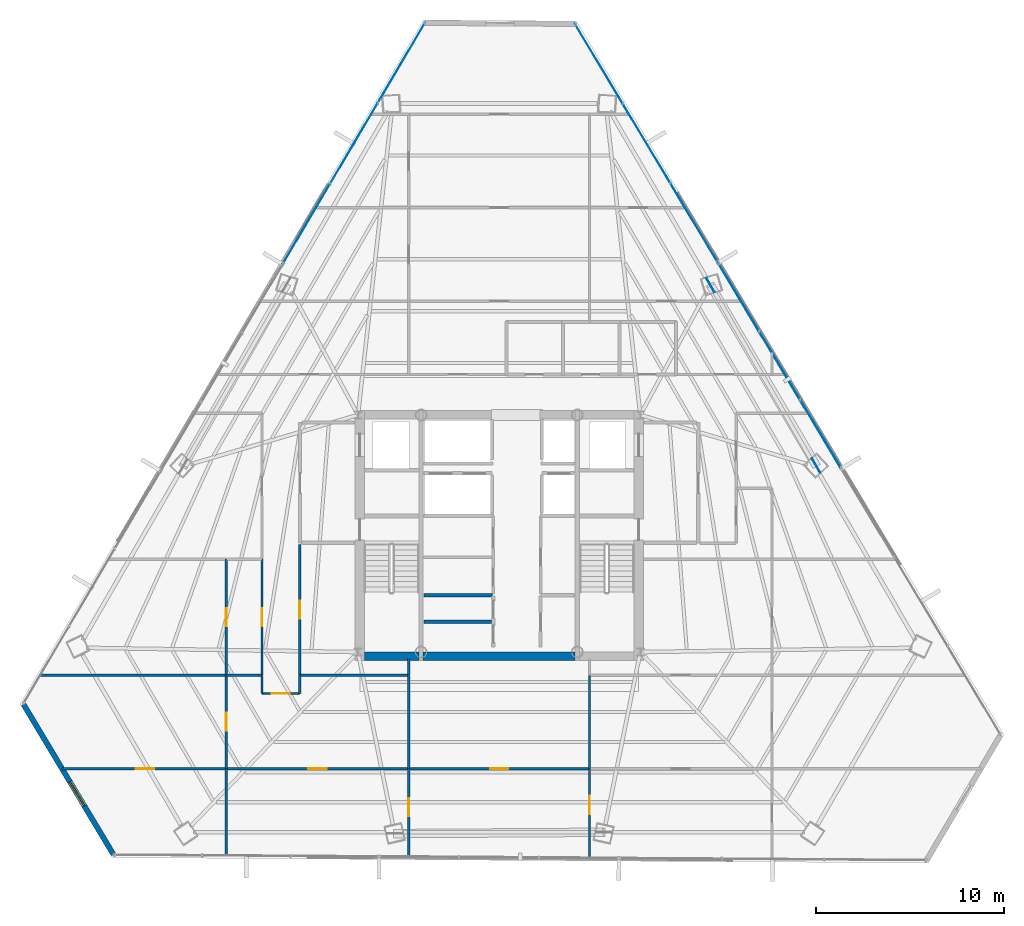
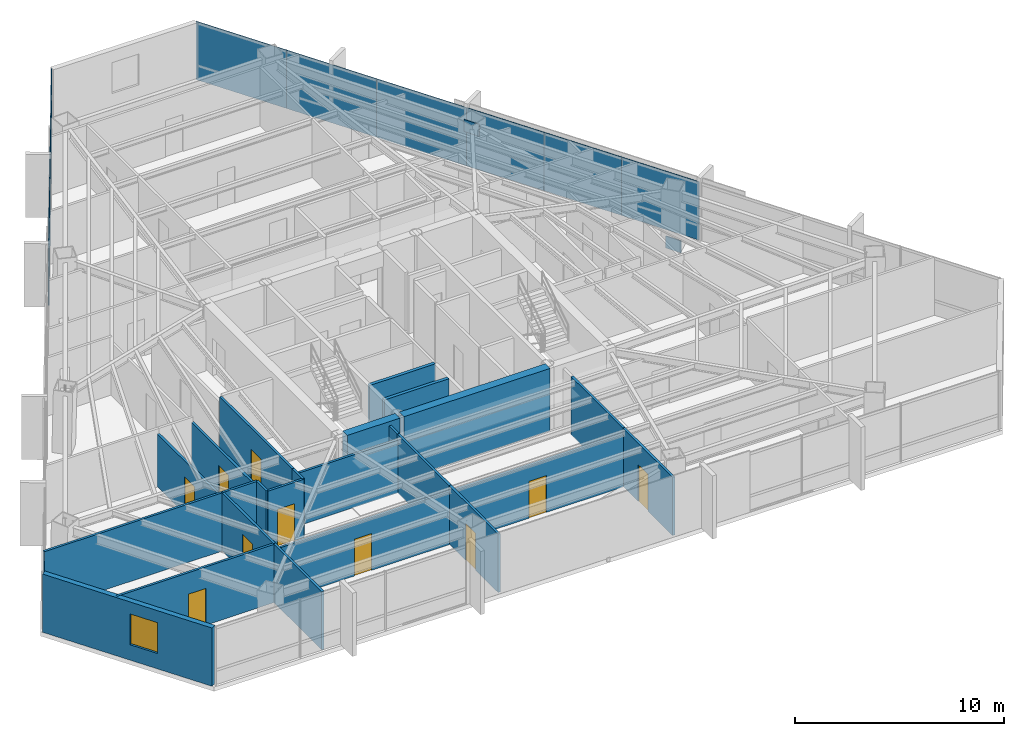
# One storey, part 34 of 40: 24 walls, 11 plates, 10 doors, 1 window, 11 openings, 3 elements without a shape of their own.
"""IFC4 building model written with IfcOpenShell, lengths in metres."""

from ifc_helpers import new_model, si_unit, direction, frame, frame_2d, origin, origin_2d, place, context, subcontext, project, spatial, rectangle, extrude, source, transform, mapped, material, layer, layer_set, type_object, type_shapes, element, fill, aggregate, save


model = new_model("IFC4")

# Units and contexts
model_context = context("Model", 3, precision=1e-05, world=origin(), true_north=direction((0.0, 1.0)))
body_context = subcontext(model_context, "Body", "Model", "MODEL_VIEW")
ifc_project = project(units=[si_unit("LENGTHUNIT", "METRE"), si_unit("AREAUNIT", "SQUARE_METRE"), si_unit("VOLUMEUNIT", "CUBIC_METRE"), si_unit("PLANEANGLEUNIT", "RADIAN"), si_unit("MASSUNIT", "GRAM", prefix="KILO")], contexts=[model_context])

# Site, building, storey
site_placement = place(None, origin())
site = spatial("IfcSite", under=ifc_project, at=site_placement, CompositionType="ELEMENT")
building_placement = place(site_placement, origin())
building = spatial("IfcBuilding", under=site, at=building_placement, Name="Caelisora Broadcast Tower", CompositionType="ELEMENT")
storey_placement = place(building_placement, frame((0.0, 0.0, 176.75)))
storey = spatial("IfcBuildingStorey", under=building, at=storey_placement, Name="L46", CompositionType="ELEMENT", Elevation=176.75)

# Plates
ifc_material_1 = material(Name="Steel Grade 350 L15 (AS/NZS 3678)", Category="steel")
ifc_layer_1 = layer(ifc_material_1, 0.0400390625, Name="Steel Grade 350 L15 (AS/NZS 3678)")
ifc_layer_set_1 = layer_set([ifc_layer_1], Name="Steel Grade 350 L15 (AS/NZS 3678)")
plate_type_1 = type_object("IfcPlateType", Name="GP04", PredefinedType="USERDEFINED", material=ifc_layer_set_1)
shared_shape_1 = source(origin(), body_context, "Body", "SweptSolid", [
    extrude(rectangle(XDim=0.85009765625, YDim=0.0400390625, at=origin_2d()), origin(), (0.0, 0.0, 1.0), 0.699951171875),
])
type_shapes(plate_type_1, [shared_shape_1])
for number, where, z_axis, x_axis, name in (
    (1, (54.8427734375, 27.319091796875, -0.22998046875), (0.0, 0.0, 1.0), (-0.5, 0.866025403784, 0.0), "L46 gusset plate GP04 (ND-L46-C10B)"),
    (2, (49.224853515625, 36.90478515625, 2.72998046875), (0.0, 0.0, 1.0), (-0.5, 0.866025403784, 0.0), "L46 gusset plate GP04 (ND-L46-C11T)"),
):
    element("IfcPlate", number, at=place(storey_placement, frame(where, z_axis=z_axis, x_axis=x_axis)), inside=storey, type_object=plate_type_1, Name=name, ObjectType="GUSSET PLATE", PredefinedType="USERDEFINED", context=body_context, shape_type="MappedRepresentation", body=[
        mapped(shared_shape_1, transform((0.0, 0.0, 0.0), scale=1.0)),
    ])

# Curtain wall, plates
ifc_material_2 = material(Name="Unitised Aluminium and Low-E Glass Curtain Wall", Category="glass")
curtain_wall_type_1 = type_object("IfcCurtainWallType", Name="CW-Z3", PredefinedType="NOTDEFINED", material=ifc_material_2)
curtain_wall_1_placement = place(storey_placement, origin())
curtain_wall_1 = element("IfcCurtainWall", 3, at=curtain_wall_1_placement, inside=storey, type_object=curtain_wall_type_1, Name="L46 curtain wall CW-Z3", PredefinedType="NOTDEFINED")
ifc_material_3 = material(Name="Double Glazed Low-E Argon IGU", Category="glass")
ifc_layer_2 = layer(ifc_material_3, 0.031982421875, Name="Double Glazed Low-E Argon IGU")
ifc_layer_set_2 = layer_set([ifc_layer_2], Name="Double Glazed Low-E Argon IGU")
plate_type_2 = type_object("IfcPlateType", Name="CWP-04", PredefinedType="CURTAIN_PANEL", material=ifc_layer_set_2)
shared_shape_2 = source(origin(), body_context, "Body", "SweptSolid", [
    extrude(rectangle(XDim=4.93017578125, YDim=0.031982421875, at=origin_2d()), origin(), (0.0, 0.0, 1.0), 3.39990234375),
])
plate_1_placement = place(storey_placement, frame((43.29638671875, 48.668212890625, 0.0), z_axis=(0.0, 0.0, 1.0), x_axis=(0.513840741921, -0.857885593737, 0.0)))
plate_1 = element("IfcPlate", 4, at=plate_1_placement, type_object=plate_type_2, Name="L46-CW-B01 glazed panel #1", PredefinedType="CURTAIN_PANEL", context=body_context, shape_type="MappedRepresentation", body=[
    mapped(shared_shape_2, transform((0.0, 0.0, 0.0), scale=1.0)),
])
plate_2_placement = place(storey_placement, frame((45.82958984375, 44.4384765625, 0.0), z_axis=(0.0, 0.0, 1.0), x_axis=(0.513840741921, -0.857885593737, 0.0)))
plate_2 = element("IfcPlate", 5, at=plate_2_placement, type_object=plate_type_2, Name="L46-CW-B01 glazed panel #2", PredefinedType="CURTAIN_PANEL", context=body_context, shape_type="MappedRepresentation", body=[
    mapped(shared_shape_2, transform((0.0, 0.0, 0.0), scale=1.0)),
])
plate_3_placement = place(storey_placement, frame((48.3623046875, 40.20849609375, 0.0), z_axis=(0.0, 0.0, 1.0), x_axis=(0.513840741921, -0.857885593737, 0.0)))
plate_3 = element("IfcPlate", 6, at=plate_3_placement, type_object=plate_type_2, Name="L46-CW-B01 glazed panel #3", PredefinedType="CURTAIN_PANEL", context=body_context, shape_type="MappedRepresentation", body=[
    mapped(shared_shape_2, transform((0.0, 0.0, 0.0), scale=1.0)),
])
aggregate(curtain_wall_1, [plate_1, plate_2, plate_3])

ifc_material_4 = material(Name="Unitised Aluminium Insulated Shadow-Box Spandrel Curtain Wall", Category="aluminium")
curtain_wall_type_2 = type_object("IfcCurtainWallType", Name="CW-SP2", PredefinedType="NOTDEFINED", material=ifc_material_4)
curtain_wall_2_placement = place(storey_placement, origin())
curtain_wall_2 = element("IfcCurtainWall", 7, at=curtain_wall_2_placement, inside=storey, type_object=curtain_wall_type_2, Name="L46 curtain wall CW-SP2", PredefinedType="NOTDEFINED")
ifc_material_5 = material(Name="Insulated Terracotta Shadow-Box Spandrel Panel", Category="aluminium")
ifc_layer_3 = layer(ifc_material_5, 0.0439453125, Name="Insulated Terracotta Shadow-Box Spandrel Panel")
ifc_layer_set_3 = layer_set([ifc_layer_3], Name="Insulated Terracotta Shadow-Box Spandrel Panel")
plate_type_3 = type_object("IfcPlateType", Name="CWP-10", PredefinedType="CURTAIN_PANEL", material=ifc_layer_set_3)
shared_shape_3 = source(origin(), body_context, "Body", "SweptSolid", [
    extrude(rectangle(XDim=4.244140625, YDim=0.0439453125, at=origin_2d()), origin(), (0.0, 0.0, 1.0), 3.39990234375),
])
type_shapes(plate_type_3, [shared_shape_3])
plate_4_placement = place(storey_placement, frame((50.724365234375, 36.264404296875, 0.0), z_axis=(0.0, 0.0, 1.0), x_axis=(0.513840741921, -0.857885593737, 0.0)))
plate_4 = element("IfcPlate", 8, at=plate_4_placement, type_object=plate_type_3, Name="L46-CW-B02 spandrel panel #1", PredefinedType="CURTAIN_PANEL", context=body_context, shape_type="MappedRepresentation", body=[
    mapped(shared_shape_3, transform((0.0, 0.0, 0.0), scale=1.0)),
])
plate_5_placement = place(storey_placement, frame((52.90478515625, 32.623291015625, 0.0), z_axis=(0.0, 0.0, 1.0), x_axis=(0.513840741921, -0.857885593737, 0.0)))
plate_5 = element("IfcPlate", 9, at=plate_5_placement, type_object=plate_type_3, Name="L46-CW-B02 spandrel panel #2", PredefinedType="CURTAIN_PANEL", context=body_context, shape_type="MappedRepresentation", body=[
    mapped(shared_shape_3, transform((0.0, 0.0, 0.0), scale=1.0)),
])
plate_6_placement = place(storey_placement, frame((55.08544921875, 28.982177734375, 0.0), z_axis=(0.0, 0.0, 1.0), x_axis=(0.513840741921, -0.857885593737, 0.0)))
plate_6 = element("IfcPlate", 10, at=plate_6_placement, type_object=plate_type_3, Name="L46-CW-B02 spandrel panel #3", PredefinedType="CURTAIN_PANEL", context=body_context, shape_type="MappedRepresentation", body=[
    mapped(shared_shape_3, transform((0.0, 0.0, 0.0), scale=1.0)),
])
aggregate(curtain_wall_2, [plate_4, plate_5, plate_6])

curtain_wall_3_placement = place(storey_placement, origin())
curtain_wall_3 = element("IfcCurtainWall", 11, at=curtain_wall_3_placement, inside=storey, type_object=curtain_wall_type_1, Name="L46 curtain wall CW-Z3", PredefinedType="NOTDEFINED")
shared_shape_4 = source(origin(), body_context, "Body", "SweptSolid", [
    extrude(rectangle(XDim=4.962890625, YDim=0.031982421875, at=origin_2d()), origin(), (0.0, 0.0, 1.0), 3.39990234375),
])
type_shapes(plate_type_2, [shared_shape_2, shared_shape_4])
plate_7_placement = place(storey_placement, frame((27.76025390625, 40.1484375, 0.0), z_axis=(0.0, 0.0, 1.0), x_axis=(0.508139769859, 0.861274621876, 0.0)))
plate_7 = element("IfcPlate", 12, at=plate_7_placement, type_object=plate_type_2, Name="L46-CW-B11 glazed panel #1", PredefinedType="CURTAIN_PANEL", context=body_context, shape_type="MappedRepresentation", body=[
    mapped(shared_shape_4, transform((0.0, 0.0, 0.0), scale=1.0)),
])
plate_8_placement = place(storey_placement, frame((30.28173828125, 44.423095703125, 0.0), z_axis=(0.0, 0.0, 1.0), x_axis=(0.508139769859, 0.861274621876, 0.0)))
plate_8 = element("IfcPlate", 13, at=plate_8_placement, type_object=plate_type_2, Name="L46-CW-B11 glazed panel #2", PredefinedType="CURTAIN_PANEL", context=body_context, shape_type="MappedRepresentation", body=[
    mapped(shared_shape_4, transform((0.0, 0.0, 0.0), scale=1.0)),
])
plate_9_placement = place(storey_placement, frame((32.80322265625, 48.69775390625, 0.0), z_axis=(0.0, 0.0, 1.0), x_axis=(0.508139769859, 0.861274621876, 0.0)))
plate_9 = element("IfcPlate", 14, at=plate_9_placement, type_object=plate_type_2, Name="L46-CW-B11 glazed panel #3", PredefinedType="CURTAIN_PANEL", context=body_context, shape_type="MappedRepresentation", body=[
    mapped(shared_shape_4, transform((0.0, 0.0, 0.0), scale=1.0)),
])
aggregate(curtain_wall_3, [plate_7, plate_8, plate_9])

# Walls
ifc_material_6 = material(Name="Concrete 50 MPa (AS 3600 S50)", Category="concrete")
ifc_layer_4 = layer(ifc_material_6, 0.449951171875, Name="Concrete 50 MPa (AS 3600 S50)")
ifc_layer_set_4 = layer_set([ifc_layer_4], Name="Concrete 50 MPa (AS 3600 S50)")
wall_type_1 = type_object("IfcWallType", Name="CW5", PredefinedType="SHEAR", material=ifc_layer_set_4)
wall_1_placement = place(storey_placement, frame((30.840087890625, 17.175048828125, 0.0), z_axis=(0.0, 0.0, 1.0), x_axis=(1.0, 0.0, 0.0)))
element("IfcWall", 15, at=wall_1_placement, inside=storey, type_object=wall_type_1, Name="L46 core shear wall CW5", PredefinedType="SHEAR", context=body_context, shape_type="SweptSolid", body=[
    extrude(rectangle(XDim=2.89990234375, YDim=0.449951171875, at=frame_2d((1.449951171875, 0.0))), origin(), (0.0, 0.0, 1.0), 3.64990234375),
])
wall_2_placement = place(storey_placement, frame((33.9599609375, 17.175048828125, 0.0), z_axis=(0.0, 0.0, 1.0), x_axis=(1.0, 0.0, 0.0)))
element("IfcWall", 16, at=wall_2_placement, inside=storey, type_object=wall_type_1, Name="L46 core shear wall CW5", PredefinedType="SHEAR", context=body_context, shape_type="SweptSolid", body=[
    extrude(rectangle(XDim=8.080078125, YDim=0.449951171875, at=frame_2d((4.0400390625, 0.0))), origin(), (0.0, 0.0, 1.0), 3.64990234375),
])

# Wall, opening, window
ifc_material_7 = material(Name="Insulated Terracotta Spandrel Wall System", Category="masonry")
ifc_layer_5 = layer(ifc_material_7, 0.280029296875, Name="Insulated Terracotta Spandrel Wall System")
ifc_layer_set_5 = layer_set([ifc_layer_5], Name="Insulated Terracotta Spandrel Wall System")
wall_type_2 = type_object("IfcWallType", Name="EW1", PredefinedType="STANDARD", material=ifc_layer_set_5)
wall_3_placement = place(storey_placement, frame((17.49951171875, 6.65380859375, 0.0), z_axis=(0.0, 0.0, 1.0), x_axis=(-0.513783876199, 0.857919651575, 0.0)))
wall_3 = element("IfcWall", 17, at=wall_3_placement, inside=storey, type_object=wall_type_2, Name="L46 exterior envelope wall EW1", PredefinedType="STANDARD", context=body_context, shape_type="SweptSolid", body=[
    extrude(rectangle(XDim=9.2822265625, YDim=0.280029296875, at=frame_2d((4.64111328125, 0.0))), origin(), (0.0, 0.0, 1.0), 3.39990234375),
])
opening_1_placement = place(wall_3_placement, frame((2.989990234375, 0.0, 0.89990234375)))
opening_1 = element("IfcOpeningElement", 18, at=opening_1_placement, cuts=wall_3, Name="Opening W02", PredefinedType="OPENING", context=body_context, shape_type="SweptSolid", body=[
    extrude(rectangle(XDim=1.5, YDim=1.800048828125, at=frame_2d((0.75, 0.89990234375))), frame((0.0, 0.152099609375, 0.0), z_axis=(0.0, -1.0, 0.0), x_axis=(1.0, 0.0, 0.0)), (0.0, 0.0, 1.0), 0.303955078125),
])
ifc_material_8 = material(Name="Double Glazed Terracotta-Framed Vision Window", Category="glass")
window_type = type_object("IfcWindowType", Name="W02", PartitioningType="SINGLE_PANEL", PredefinedType="WINDOW", material=ifc_material_8)
window_placement = place(opening_1_placement, origin())
window = element("IfcWindow", 19, at=window_placement, inside=storey, type_object=window_type, Name="L46 window W02 (L46-WN-CH4)", OverallHeight=1.800048828125, OverallWidth=1.5, PartitioningType="SINGLE_PANEL", PredefinedType="WINDOW", context=body_context, shape_type="SweptSolid", body=[
    extrude(rectangle(XDim=1.5, YDim=1.800048828125, at=frame_2d((0.75, 0.89990234375))), frame((0.0, 0.030029296875, 0.0), z_axis=(0.0, -1.0, 0.0), x_axis=(1.0, 0.0, 0.0)), (0.0, 0.0, 1.0), 0.06005859375),
])
fill(opening_1, window)

# Walls
ifc_material_9 = material(Name="Fire-Rated Gypsum Shaft and Compartment Wall", Category="gypsum")
ifc_layer_6 = layer(ifc_material_9, 0.179931640625, Name="Fire-Rated Gypsum Shaft and Compartment Wall")
ifc_layer_set_6 = layer_set([ifc_layer_6], Name="Fire-Rated Gypsum Shaft and Compartment Wall")
wall_type_3 = type_object("IfcWallType", Name="PW2", PredefinedType="PARTITIONING", material=ifc_layer_set_6)
wall_4_placement = place(storey_placement, frame((34.02001953125, 20.419921875, 0.0), z_axis=(0.0, 0.0, 1.0), x_axis=(1.0, 0.0, 0.0)))
element("IfcWall", 20, at=wall_4_placement, inside=storey, type_object=wall_type_3, Name="L46 fire compartment wall PW2", PredefinedType="PARTITIONING", context=body_context, shape_type="SweptSolid", body=[
    extrude(rectangle(XDim=3.639892578125, YDim=0.179931640625, at=frame_2d((1.81982421875, 0.0))), origin(), (0.0, 0.0, 1.0), 3.39990234375),
])
wall_5_placement = place(storey_placement, frame((34.02001953125, 19.02001953125, 0.0), z_axis=(0.0, 0.0, 1.0), x_axis=(1.0, 0.0, 0.0)))
element("IfcWall", 21, at=wall_5_placement, inside=storey, type_object=wall_type_3, Name="L46 fire compartment wall PW2", PredefinedType="PARTITIONING", context=body_context, shape_type="SweptSolid", body=[
    extrude(rectangle(XDim=3.580078125, YDim=0.179931640625, at=frame_2d((1.7900390625, 0.0))), origin(), (0.0, 0.0, 1.0), 3.39990234375),
])
ifc_material_10 = material(Name="Acoustic Steel-Stud Plasterboard Partition", Category="gypsum")
ifc_layer_7 = layer(ifc_material_10, 0.1298828125, Name="Acoustic Steel-Stud Plasterboard Partition")
ifc_layer_set_7 = layer_set([ifc_layer_7], Name="Acoustic Steel-Stud Plasterboard Partition")
wall_type_4 = type_object("IfcWallType", Name="PW3", PredefinedType="PARTITIONING", material=ifc_layer_set_7)
wall_6_placement = place(storey_placement, frame((13.610595703125, 16.169921875, 0.0), z_axis=(0.0, 0.0, 1.0), x_axis=(1.0, 0.0, 0.0)))
element("IfcWall", 22, at=wall_6_placement, inside=storey, type_object=wall_type_4, Name="L46 internal partition PW3", PredefinedType="PARTITIONING", context=body_context, shape_type="SweptSolid", body=[
    extrude(rectangle(XDim=9.884521484375, YDim=0.1298828125, at=frame_2d((4.9423828125, 0.0))), origin(), (0.0, 0.0, 1.0), 3.39990234375),
])

# Wall, opening, door
wall_7_placement = place(storey_placement, frame((23.5048828125, 11.2099609375, 0.0), z_axis=(0.0, 0.0, 1.0), x_axis=(1.0, 0.0, 0.0)))
wall_7 = element("IfcWall", 23, at=wall_7_placement, inside=storey, type_object=wall_type_4, Name="L46 internal partition PW3", PredefinedType="PARTITIONING", context=body_context, shape_type="SweptSolid", body=[
    extrude(rectangle(XDim=9.690185546875, YDim=0.1298828125, at=frame_2d((4.84521484375, 0.0))), origin(), (0.0, 0.0, 1.0), 3.077880859375),
])
opening_2_placement = place(wall_7_placement, frame((4.364990234375, 0.0, 0.0)))
opening_2 = element("IfcOpeningElement", 24, at=opening_2_placement, cuts=wall_7, Name="Opening D01", PredefinedType="OPENING", context=body_context, shape_type="SweptSolid", body=[
    extrude(rectangle(XDim=0.9599609375, YDim=2.14990234375, at=frame_2d((0.47998046875, 1.074951171875))), frame((0.0, 0.076904296875, 0.0), z_axis=(0.0, -1.0, 0.0), x_axis=(1.0, 0.0, 0.0)), (0.0, 0.0, 1.0), 0.15380859375),
])
ifc_material_11 = material(Name="Solid-Core Timber Acoustic Office Door", Category="wood")
door_type = type_object("IfcDoorType", Name="D01", OperationType="NOTDEFINED", PredefinedType="DOOR", material=ifc_material_11)
door_1_placement = place(opening_2_placement, origin())
door_1 = element("IfcDoor", 25, at=door_1_placement, inside=storey, type_object=door_type, Name="L46 door D01 (L46-DR-P33D1)", OperationType="SINGLE_SWING_RIGHT", OverallHeight=2.14990234375, OverallWidth=0.9599609375, PredefinedType="DOOR", context=body_context, shape_type="SweptSolid", body=[
    extrude(rectangle(XDim=0.9599609375, YDim=2.14990234375, at=frame_2d((0.47998046875, 1.074951171875))), frame((0.0, 0.02490234375, 0.0), z_axis=(0.0, -1.0, 0.0), x_axis=(1.0, 0.0, 0.0)), (0.0, 0.0, 1.0), 0.050048828125),
])
fill(opening_2, door_1)

wall_8_placement = place(storey_placement, frame((33.205078125, 11.2099609375, 0.0), z_axis=(0.0, 0.0, 1.0), x_axis=(1.0, 0.0, 0.0)))
wall_8 = element("IfcWall", 26, at=wall_8_placement, inside=storey, type_object=wall_type_4, Name="L46 internal partition PW3", PredefinedType="PARTITIONING", context=body_context, shape_type="SweptSolid", body=[
    extrude(rectangle(XDim=9.58984375, YDim=0.1298828125, at=frame_2d((4.794921875, 0.0))), origin(), (0.0, 0.0, 1.0), 3.077880859375),
])
opening_3_placement = place(wall_8_placement, frame((4.31494140625, 0.0, 0.0)))
opening_3 = element("IfcOpeningElement", 27, at=opening_3_placement, cuts=wall_8, Name="Opening D01", PredefinedType="OPENING", context=body_context, shape_type="SweptSolid", body=[
    extrude(rectangle(XDim=0.9599609375, YDim=2.14990234375, at=frame_2d((0.47998046875, 1.074951171875))), frame((0.0, 0.076904296875, 0.0), z_axis=(0.0, -1.0, 0.0), x_axis=(1.0, 0.0, 0.0)), (0.0, 0.0, 1.0), 0.15380859375),
])
door_2_placement = place(opening_3_placement, origin())
door_2 = element("IfcDoor", 28, at=door_2_placement, inside=storey, type_object=door_type, Name="L46 door D01 (L46-DR-P36D1)", OperationType="SINGLE_SWING_LEFT", OverallHeight=2.14990234375, OverallWidth=0.9599609375, PredefinedType="DOOR", context=body_context, shape_type="SweptSolid", body=[
    extrude(rectangle(XDim=0.9599609375, YDim=2.14990234375, at=frame_2d((0.47998046875, 1.074951171875))), frame((0.0, 0.02490234375, 0.0), z_axis=(0.0, -1.0, 0.0), x_axis=(1.0, 0.0, 0.0)), (0.0, 0.0, 1.0), 0.050048828125),
])
fill(opening_3, door_2)

wall_9_placement = place(storey_placement, frame((14.765380859375, 11.2099609375, 0.0), z_axis=(0.0, 0.0, 1.0), x_axis=(1.0, 0.0, 0.0)))
wall_9 = element("IfcWall", 29, at=wall_9_placement, inside=storey, type_object=wall_type_4, Name="L46 internal partition PW3", PredefinedType="PARTITIONING", context=body_context, shape_type="SweptSolid", body=[
    extrude(rectangle(XDim=8.729736328125, YDim=0.1298828125, at=frame_2d((4.36474609375, 0.0))), origin(), (0.0, 0.0, 1.0), 3.39990234375),
])
opening_4_placement = place(wall_9_placement, frame((3.93798828125, 0.0, 0.0)))
opening_4 = element("IfcOpeningElement", 30, at=opening_4_placement, cuts=wall_9, Name="Opening D01", PredefinedType="OPENING", context=body_context, shape_type="SweptSolid", body=[
    extrude(rectangle(XDim=0.9599609375, YDim=2.14990234375, at=frame_2d((0.47998046875, 1.074951171875))), frame((0.0, 0.076904296875, 0.0), z_axis=(0.0, -1.0, 0.0), x_axis=(1.0, 0.0, 0.0)), (0.0, 0.0, 1.0), 0.15380859375),
])
door_3_placement = place(opening_4_placement, origin())
door_3 = element("IfcDoor", 31, at=door_3_placement, inside=storey, type_object=door_type, Name="L46 door D01 (L46-DR-P40D1)", OperationType="SINGLE_SWING_LEFT", OverallHeight=2.14990234375, OverallWidth=0.9599609375, PredefinedType="DOOR", context=body_context, shape_type="SweptSolid", body=[
    extrude(rectangle(XDim=0.9599609375, YDim=2.14990234375, at=frame_2d((0.47998046875, 1.074951171875))), frame((0.0, 0.02490234375, 0.0), z_axis=(0.0, -1.0, 0.0), x_axis=(1.0, 0.0, 0.0)), (0.0, 0.0, 1.0), 0.050048828125),
])
fill(opening_4, door_3)

wall_10_placement = place(storey_placement, frame((27.39990234375, 16.175048828125, 0.0), z_axis=(0.0, 0.0, 1.0), x_axis=(0.0, 1.0, 0.0)))
wall_10 = element("IfcWall", 32, at=wall_10_placement, inside=storey, type_object=wall_type_4, Name="L46 internal partition PW3", PredefinedType="PARTITIONING", context=body_context, shape_type="SweptSolid", body=[
    extrude(rectangle(XDim=6.929931640625, YDim=0.1298828125, at=frame_2d((3.46484375, 0.0))), origin(), (0.0, 0.0, 1.0), 3.39990234375),
])
opening_5_placement = place(wall_10_placement, frame((2.985107421875, 0.0, 0.0)))
opening_5 = element("IfcOpeningElement", 33, at=opening_5_placement, cuts=wall_10, Name="Opening D01", PredefinedType="OPENING", context=body_context, shape_type="SweptSolid", body=[
    extrude(rectangle(XDim=0.9599609375, YDim=2.14990234375, at=frame_2d((0.47998046875, 1.074951171875))), frame((0.0, 0.076904296875, 0.0), z_axis=(0.0, -1.0, 0.0), x_axis=(1.0, 0.0, 0.0)), (0.0, 0.0, 1.0), 0.15380859375),
])
door_4_placement = place(opening_5_placement, origin())
door_4 = element("IfcDoor", 34, at=door_4_placement, inside=storey, type_object=door_type, Name="L46 door D01 (L46-DR-P45D1)", OperationType="SINGLE_SWING_RIGHT", OverallHeight=2.14990234375, OverallWidth=0.9599609375, PredefinedType="DOOR", context=body_context, shape_type="SweptSolid", body=[
    extrude(rectangle(XDim=0.9599609375, YDim=2.14990234375, at=frame_2d((0.47998046875, 1.074951171875))), frame((0.0, 0.02490234375, 0.0), z_axis=(0.0, -1.0, 0.0), x_axis=(1.0, 0.0, 0.0)), (0.0, 0.0, 1.0), 0.050048828125),
])
fill(opening_5, door_4)

wall_11_placement = place(storey_placement, frame((25.39990234375, 16.175048828125, 0.0), z_axis=(0.0, 0.0, 1.0), x_axis=(0.0, 1.0, 0.0)))
wall_11 = element("IfcWall", 35, at=wall_11_placement, inside=storey, type_object=wall_type_4, Name="L46 internal partition PW3", PredefinedType="PARTITIONING", context=body_context, shape_type="SweptSolid", body=[
    extrude(rectangle(XDim=6.159912109375, YDim=0.1298828125, at=frame_2d((3.080078125, 0.0))), origin(), (0.0, 0.0, 1.0), 3.077880859375),
])
opening_6_placement = place(wall_11_placement, frame((2.60009765625, 0.0, 0.0)))
opening_6 = element("IfcOpeningElement", 36, at=opening_6_placement, cuts=wall_11, Name="Opening D01", PredefinedType="OPENING", context=body_context, shape_type="SweptSolid", body=[
    extrude(rectangle(XDim=0.9599609375, YDim=2.14990234375, at=frame_2d((0.47998046875, 1.074951171875))), frame((0.0, 0.076904296875, 0.0), z_axis=(0.0, -1.0, 0.0), x_axis=(1.0, 0.0, 0.0)), (0.0, 0.0, 1.0), 0.15380859375),
])
door_5_placement = place(opening_6_placement, origin())
door_5 = element("IfcDoor", 37, at=door_5_placement, inside=storey, type_object=door_type, Name="L46 door D01 (L46-DR-P49D1)", OperationType="SINGLE_SWING_LEFT", OverallHeight=2.14990234375, OverallWidth=0.9599609375, PredefinedType="DOOR", context=body_context, shape_type="SweptSolid", body=[
    extrude(rectangle(XDim=0.9599609375, YDim=2.14990234375, at=frame_2d((0.47998046875, 1.074951171875))), frame((0.0, 0.02490234375, 0.0), z_axis=(0.0, -1.0, 0.0), x_axis=(1.0, 0.0, 0.0)), (0.0, 0.0, 1.0), 0.050048828125),
])
fill(opening_6, door_5)

wall_12_placement = place(storey_placement, frame((23.5, 16.175048828125, 0.0), z_axis=(0.0, 0.0, 1.0), x_axis=(0.0, 1.0, 0.0)))
wall_12 = element("IfcWall", 38, at=wall_12_placement, inside=storey, type_object=wall_type_4, Name="L46 internal partition PW3", PredefinedType="PARTITIONING", context=body_context, shape_type="SweptSolid", body=[
    extrude(rectangle(XDim=6.159912109375, YDim=0.1298828125, at=frame_2d((3.080078125, 0.0))), origin(), (0.0, 0.0, 1.0), 3.077880859375),
])
opening_7_placement = place(wall_12_placement, frame((2.60009765625, 0.0, 0.0)))
opening_7 = element("IfcOpeningElement", 39, at=opening_7_placement, cuts=wall_12, Name="Opening D01", PredefinedType="OPENING", context=body_context, shape_type="SweptSolid", body=[
    extrude(rectangle(XDim=0.9599609375, YDim=2.14990234375, at=frame_2d((0.47998046875, 1.074951171875))), frame((0.0, 0.076904296875, 0.0), z_axis=(0.0, -1.0, 0.0), x_axis=(1.0, 0.0, 0.0)), (0.0, 0.0, 1.0), 0.15380859375),
])
door_6_placement = place(opening_7_placement, origin())
door_6 = element("IfcDoor", 40, at=door_6_placement, inside=storey, type_object=door_type, Name="L46 door D01 (L46-DR-P50D1)", OperationType="SINGLE_SWING_RIGHT", OverallHeight=2.14990234375, OverallWidth=0.9599609375, PredefinedType="DOOR", context=body_context, shape_type="SweptSolid", body=[
    extrude(rectangle(XDim=0.9599609375, YDim=2.14990234375, at=frame_2d((0.47998046875, 1.074951171875))), frame((0.0, 0.02490234375, 0.0), z_axis=(0.0, -1.0, 0.0), x_axis=(1.0, 0.0, 0.0)), (0.0, 0.0, 1.0), 0.050048828125),
])
fill(opening_7, door_6)

# Wall
wall_13_placement = place(storey_placement, frame((27.405029296875, 16.169921875, 0.0), z_axis=(0.0, 0.0, 1.0), x_axis=(1.0, 0.0, 0.0)))
element("IfcWall", 41, at=wall_13_placement, inside=storey, type_object=wall_type_4, Name="L46 internal partition PW3", PredefinedType="PARTITIONING", context=body_context, shape_type="SweptSolid", body=[
    extrude(rectangle(XDim=5.7900390625, YDim=0.1298828125, at=frame_2d((2.89501953125, 0.0))), origin(), (0.0, 0.0, 1.0), 3.077880859375),
])

# Wall, opening, door
wall_14_placement = place(storey_placement, frame((23.5, 11.215087890625, 0.0), z_axis=(0.0, 0.0, 1.0), x_axis=(0.0, 1.0, 0.0)))
wall_14 = element("IfcWall", 42, at=wall_14_placement, inside=storey, type_object=wall_type_4, Name="L46 internal partition PW3", PredefinedType="PARTITIONING", context=body_context, shape_type="SweptSolid", body=[
    extrude(rectangle(XDim=4.949951171875, YDim=0.1298828125, at=frame_2d((2.47509765625, 0.0))), origin(), (0.0, 0.0, 1.0), 3.39990234375),
])
opening_8_placement = place(wall_14_placement, frame((1.9951171875, 0.0, 0.0)))
opening_8 = element("IfcOpeningElement", 43, at=opening_8_placement, cuts=wall_14, Name="Opening D01", PredefinedType="OPENING", context=body_context, shape_type="SweptSolid", body=[
    extrude(rectangle(XDim=0.9599609375, YDim=2.14990234375, at=frame_2d((0.47998046875, 1.074951171875))), frame((0.0, 0.076904296875, 0.0), z_axis=(0.0, -1.0, 0.0), x_axis=(1.0, 0.0, 0.0)), (0.0, 0.0, 1.0), 0.15380859375),
])
door_7_placement = place(opening_8_placement, origin())
door_7 = element("IfcDoor", 44, at=door_7_placement, inside=storey, type_object=door_type, Name="L46 door D01 (L46-DR-P59D1)", OperationType="SINGLE_SWING_RIGHT", OverallHeight=2.14990234375, OverallWidth=0.9599609375, PredefinedType="DOOR", context=body_context, shape_type="SweptSolid", body=[
    extrude(rectangle(XDim=0.9599609375, YDim=2.14990234375, at=frame_2d((0.47998046875, 1.074951171875))), frame((0.0, 0.02490234375, 0.0), z_axis=(0.0, -1.0, 0.0), x_axis=(1.0, 0.0, 0.0)), (0.0, 0.0, 1.0), 0.050048828125),
])
fill(opening_8, door_7)

# Walls
for number, where, z_axis, x_axis, name in (
    (45, (33.199951171875, 11.215087890625, 0.0), (0.0, 0.0, 1.0), (0.0, 1.0, 0.0), "L46 internal partition PW3"),
    (46, (42.800048828125, 11.215087890625, 0.0), (0.0, 0.0, 1.0), (0.0, 1.0, 0.0), "L46 internal partition PW3"),
):
    element("IfcWall", number, at=place(storey_placement, frame(where, z_axis=z_axis, x_axis=x_axis)), inside=storey, type_object=wall_type_4, Name=name, PredefinedType="PARTITIONING", context=body_context, shape_type="SweptSolid", body=[
        extrude(rectangle(XDim=4.949951171875, YDim=0.1298828125, at=frame_2d((2.47509765625, 0.0))), origin(), (0.0, 0.0, 1.0), 3.39990234375),
    ])

# Wall, opening, door
wall_15_placement = place(storey_placement, frame((42.800048828125, 6.455078125, 0.0), z_axis=(0.0, 0.0, 1.0), x_axis=(0.0, 1.0, 0.0)))
wall_15 = element("IfcWall", 47, at=wall_15_placement, inside=storey, type_object=wall_type_4, Name="L46 internal partition PW3", PredefinedType="PARTITIONING", context=body_context, shape_type="SweptSolid", body=[
    extrude(rectangle(XDim=4.75, YDim=0.1298828125, at=frame_2d((2.375, 0.0))), origin(), (0.0, 0.0, 1.0), 3.39990234375),
])
opening_9_placement = place(wall_15_placement, frame((2.340087890625, 0.0, 0.0)))
opening_9 = element("IfcOpeningElement", 48, at=opening_9_placement, cuts=wall_15, Name="Opening D01", PredefinedType="OPENING", context=body_context, shape_type="SweptSolid", body=[
    extrude(rectangle(XDim=0.9599609375, YDim=2.14990234375, at=frame_2d((0.47998046875, 1.074951171875))), frame((0.0, 0.076904296875, 0.0), z_axis=(0.0, -1.0, 0.0), x_axis=(1.0, 0.0, 0.0)), (0.0, 0.0, 1.0), 0.15380859375),
])
door_8_placement = place(opening_9_placement, origin())
door_8 = element("IfcDoor", 49, at=door_8_placement, inside=storey, type_object=door_type, Name="L46 door D01 (L46-DR-P66D1)", OperationType="SINGLE_SWING_RIGHT", OverallHeight=2.14990234375, OverallWidth=0.9599609375, PredefinedType="DOOR", context=body_context, shape_type="SweptSolid", body=[
    extrude(rectangle(XDim=0.9599609375, YDim=2.14990234375, at=frame_2d((0.47998046875, 1.074951171875))), frame((0.0, 0.02490234375, 0.0), z_axis=(0.0, -1.0, 0.0), x_axis=(1.0, 0.0, 0.0)), (0.0, 0.0, 1.0), 0.050048828125),
])
fill(opening_9, door_8)

wall_16_placement = place(storey_placement, frame((33.199951171875, 6.518798828125, 0.0), z_axis=(0.0, 0.0, 1.0), x_axis=(0.0, 1.0, 0.0)))
wall_16 = element("IfcWall", 50, at=wall_16_placement, inside=storey, type_object=wall_type_4, Name="L46 internal partition PW3", PredefinedType="PARTITIONING", context=body_context, shape_type="SweptSolid", body=[
    extrude(rectangle(XDim=4.686279296875, YDim=0.1298828125, at=frame_2d((2.34326171875, 0.0))), origin(), (0.0, 0.0, 1.0), 3.39990234375),
])
opening_10_placement = place(wall_16_placement, frame((2.159912109375, 0.0, 0.0)))
opening_10 = element("IfcOpeningElement", 51, at=opening_10_placement, cuts=wall_16, Name="Opening D01", PredefinedType="OPENING", context=body_context, shape_type="SweptSolid", body=[
    extrude(rectangle(XDim=0.9599609375, YDim=2.14990234375, at=frame_2d((0.47998046875, 1.074951171875))), frame((0.0, 0.076904296875, 0.0), z_axis=(0.0, -1.0, 0.0), x_axis=(1.0, 0.0, 0.0)), (0.0, 0.0, 1.0), 0.15380859375),
])
door_9_placement = place(opening_10_placement, origin())
door_9 = element("IfcDoor", 52, at=door_9_placement, inside=storey, type_object=door_type, Name="L46 door D01 (L46-DR-P67D1)", OperationType="SINGLE_SWING_LEFT", OverallHeight=2.14990234375, OverallWidth=0.9599609375, PredefinedType="DOOR", context=body_context, shape_type="SweptSolid", body=[
    extrude(rectangle(XDim=0.9599609375, YDim=2.14990234375, at=frame_2d((0.47998046875, 1.074951171875))), frame((0.0, 0.02490234375, 0.0), z_axis=(0.0, -1.0, 0.0), x_axis=(1.0, 0.0, 0.0)), (0.0, 0.0, 1.0), 0.050048828125),
])
fill(opening_10, door_9)

# Wall
wall_17_placement = place(storey_placement, frame((23.5, 6.58349609375, 0.0), z_axis=(0.0, 0.0, 1.0), x_axis=(0.0, 1.0, 0.0)))
element("IfcWall", 53, at=wall_17_placement, inside=storey, type_object=wall_type_4, Name="L46 internal partition PW3", PredefinedType="PARTITIONING", context=body_context, shape_type="SweptSolid", body=[
    extrude(rectangle(XDim=4.62158203125, YDim=0.1298828125, at=frame_2d((2.310791015625, 0.0))), origin(), (0.0, 0.0, 1.0), 3.39990234375),
])

# Wall, opening, door
wall_18_placement = place(storey_placement, frame((25.405029296875, 15.199951171875, 0.0), z_axis=(0.0, 0.0, 1.0), x_axis=(1.0, 0.0, 0.0)))
wall_18 = element("IfcWall", 54, at=wall_18_placement, inside=storey, type_object=wall_type_4, Name="L46 internal partition PW3", PredefinedType="PARTITIONING", context=body_context, shape_type="SweptSolid", body=[
    extrude(rectangle(XDim=1.989990234375, YDim=0.1298828125, at=frame_2d((0.9951171875, 0.0))), origin(), (0.0, 0.0, 1.0), 3.39990234375),
])
opening_11_placement = place(wall_18_placement, frame((0.514892578125, 0.0, 0.0)))
opening_11 = element("IfcOpeningElement", 55, at=opening_11_placement, cuts=wall_18, Name="Opening D01", PredefinedType="OPENING", context=body_context, shape_type="SweptSolid", body=[
    extrude(rectangle(XDim=0.9599609375, YDim=2.14990234375, at=frame_2d((0.47998046875, 1.074951171875))), frame((0.0, 0.076904296875, 0.0), z_axis=(0.0, -1.0, 0.0), x_axis=(1.0, 0.0, 0.0)), (0.0, 0.0, 1.0), 0.15380859375),
])
door_10_placement = place(opening_11_placement, origin())
door_10 = element("IfcDoor", 56, at=door_10_placement, inside=storey, type_object=door_type, Name="L46 door D01 (L46-DR-P78D1)", OperationType="SINGLE_SWING_RIGHT", OverallHeight=2.14990234375, OverallWidth=0.9599609375, PredefinedType="DOOR", context=body_context, shape_type="SweptSolid", body=[
    extrude(rectangle(XDim=0.9599609375, YDim=2.14990234375, at=frame_2d((0.47998046875, 1.074951171875))), frame((0.0, 0.02490234375, 0.0), z_axis=(0.0, -1.0, 0.0), x_axis=(1.0, 0.0, 0.0)), (0.0, 0.0, 1.0), 0.050048828125),
])
fill(opening_11, door_10)

# Walls
wall_19_placement = place(storey_placement, frame((23.5048828125, 16.169921875, 0.0), z_axis=(0.0, 0.0, 1.0), x_axis=(1.0, 0.0, 0.0)))
element("IfcWall", 57, at=wall_19_placement, inside=storey, type_object=wall_type_4, Name="L46 internal partition PW3", PredefinedType="PARTITIONING", context=body_context, shape_type="SweptSolid", body=[
    extrude(rectangle(XDim=1.89013671875, YDim=0.1298828125, at=frame_2d((0.945068359375, 0.0))), origin(), (0.0, 0.0, 1.0), 3.39990234375),
])
for number, where, z_axis, x_axis, name in (
    (58, (25.39990234375, 16.1650390625, 0.0), (0.0, 0.0, 1.0), (0.0, -1.0, 0.0), "L46 internal partition PW3"),
    (59, (27.39990234375, 15.205078125, 0.0), (0.0, 0.0, 1.0), (0.0, 1.0, 0.0), "L46 internal partition PW3"),
):
    element("IfcWall", number, at=place(storey_placement, frame(where, z_axis=z_axis, x_axis=x_axis)), inside=storey, type_object=wall_type_4, Name=name, PredefinedType="PARTITIONING", context=body_context, shape_type="SweptSolid", body=[
        extrude(rectangle(XDim=0.9599609375, YDim=0.1298828125, at=frame_2d((0.47998046875, 0.0))), origin(), (0.0, 0.0, 1.0), 3.39990234375),
    ])
wall_20_placement = place(storey_placement, frame((33.199951171875, 16.175048828125, 0.0), z_axis=(0.0, 0.0, 1.0), x_axis=(0.0, 1.0, 0.0)))
element("IfcWall", 60, at=wall_20_placement, inside=storey, type_object=wall_type_4, Name="L46 internal partition PW3", PredefinedType="PARTITIONING", context=body_context, shape_type="SweptSolid", body=[
    extrude(rectangle(XDim=0.849853515625, YDim=0.1298828125, at=frame_2d((0.4248046875, 0.0))), origin(), (0.0, 0.0, 1.0), 3.39990234375),
])

save(model, "model.ifc")
